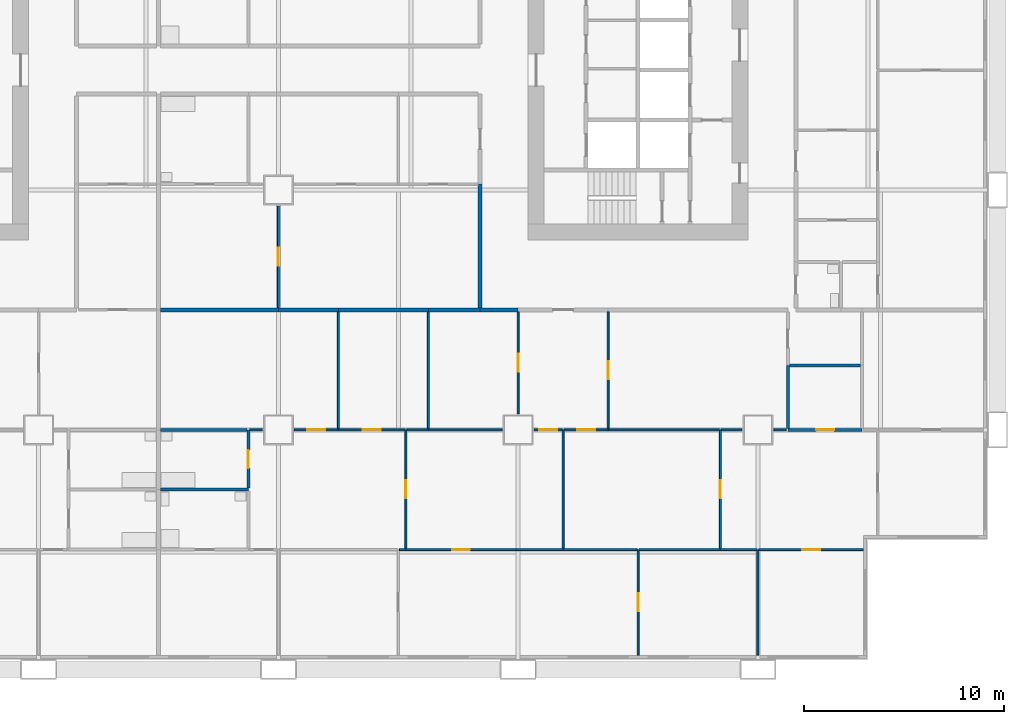
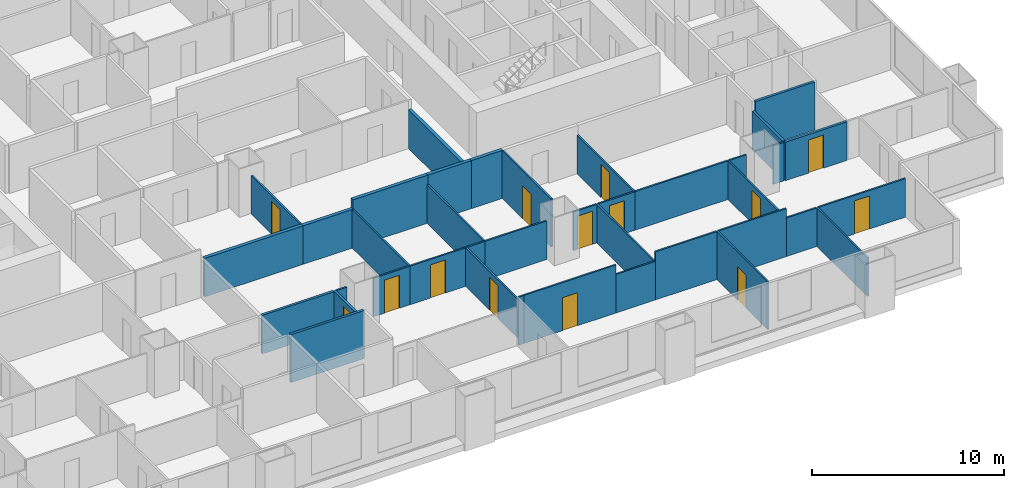
# One storey, part 5 of 13: 39 walls, 14 doors, 14 openings.
"""IFC4 building model written with IfcOpenShell, lengths in metres."""

from ifc_helpers import new_model, si_unit, direction, frame, frame_2d, origin, place, context, subcontext, project, spatial, rectangle, extrude, material, layer, layer_set, type_object, element, fill, save


model = new_model("IFC4")

# Units and contexts
model_context = context("Model", 3, precision=1e-05, world=origin(), true_north=direction((0.0, 1.0)))
body_context = subcontext(model_context, "Body", "Model", "MODEL_VIEW")
ifc_project = project(units=[si_unit("LENGTHUNIT", "METRE"), si_unit("AREAUNIT", "SQUARE_METRE"), si_unit("VOLUMEUNIT", "CUBIC_METRE"), si_unit("PLANEANGLEUNIT", "RADIAN"), si_unit("MASSUNIT", "GRAM", prefix="KILO")], contexts=[model_context])

# Site, building, storey
site_placement = place(None, origin())
site = spatial("IfcSite", under=ifc_project, at=site_placement, CompositionType="ELEMENT")
building_placement = place(site_placement, origin())
building = spatial("IfcBuilding", under=site, at=building_placement, Name="Kitamizu Gate Tower and Museum", CompositionType="ELEMENT")
storey_placement = place(building_placement, frame((0.0, 0.0, 47.25)))
storey = spatial("IfcBuildingStorey", under=building, at=storey_placement, Name="L10", CompositionType="ELEMENT", Elevation=47.25)

# Wall, opening, door
ifc_material_1 = material(Name="Gypsum board on galvanised stud")
ifc_layer_1 = layer(ifc_material_1, 0.10009765625)
ifc_layer_set_1 = layer_set([ifc_layer_1], Name="Gypsum board on galvanised stud")
wall_type_1 = type_object("IfcWallType", Name="Partition 100 NOT RATED", PredefinedType="PARTITIONING", material=ifc_layer_set_1)
wall_1_placement = place(storey_placement, frame((54.0, 0.719970703125, 0.0), z_axis=(0.0, 0.0, 1.0), x_axis=(0.0, 1.0, 0.0)))
wall_1 = element("IfcWall", 1, at=wall_1_placement, inside=storey, type_object=wall_type_1, Name="Partition L10-051", PredefinedType="PARTITIONING", context=body_context, shape_type="SweptSolid", body=[
    extrude(rectangle(XDim=5.280029296875, YDim=0.10009765625, at=frame_2d((2.64013671875, 0.0))), origin(), (0.0, 0.0, 1.0), 3.050048828125),
])
opening_1_placement = place(wall_1_placement, frame((2.18994140625, 0.0, 0.0)))
opening_1 = element("IfcOpeningElement", 2, at=opening_1_placement, cuts=wall_1, Name="Opening L10-027", PredefinedType="OPENING", context=body_context, shape_type="SweptSolid", body=[
    extrude(rectangle(XDim=0.89990234375, YDim=2.10009765625, at=frame_2d((0.449951171875, 1.050048828125))), frame((0.0, 0.06005859375, 0.0), z_axis=(0.0, -1.0, 0.0), x_axis=(1.0, 0.0, 0.0)), (0.0, 0.0, 1.0), 0.1201171875),
])
ifc_material_2 = material(Name="Timber door set", Category="wood")
door_type_1 = type_object("IfcDoorType", Name="Room door 900", OperationType="NOTDEFINED", PredefinedType="DOOR", material=ifc_material_2)
door_1_placement = place(opening_1_placement, frame((0.89990234375, 0.0, 0.0), x_axis=(-1.0, 0.0, 0.0)))
door_1 = element("IfcDoor", 3, at=door_1_placement, inside=storey, type_object=door_type_1, Name="Door L10-027", OperationType="SINGLE_SWING_LEFT", OverallHeight=2.10009765625, OverallWidth=0.89990234375, PredefinedType="DOOR", context=body_context, shape_type="SweptSolid", body=[
    extrude(rectangle(XDim=0.89990234375, YDim=2.10009765625, at=frame_2d((0.449951171875, 1.050048828125))), frame((0.0, 0.02490234375, 0.0), z_axis=(0.0, -1.0, 0.0), x_axis=(1.0, 0.0, 0.0)), (0.0, 0.0, 1.0), 0.050048828125),
])
fill(opening_1, door_1)

# Walls
wall_2_placement = place(storey_placement, frame((42.375, 6.0, 0.0), z_axis=(0.0, 0.0, 1.0), x_axis=(-1.0, 0.0, 0.0)))
element("IfcWall", 4, at=wall_2_placement, inside=storey, type_object=wall_type_1, Name="Partition L10-052", PredefinedType="PARTITIONING", context=body_context, shape_type="SweptSolid", body=[
    extrude(rectangle(XDim=0.324951171875, YDim=0.10009765625, at=frame_2d((0.16259765625, 0.0))), origin(), (0.0, 0.0, 1.0), 3.050048828125),
])
wall_3_placement = place(storey_placement, frame((50.25, 6.0, 0.0), z_axis=(0.0, 0.0, 1.0), x_axis=(-1.0, 0.0, 0.0)))
element("IfcWall", 5, at=wall_3_placement, inside=storey, type_object=wall_type_1, Name="Partition L10-053", PredefinedType="PARTITIONING", context=body_context, shape_type="SweptSolid", body=[
    extrude(rectangle(XDim=2.35009765625, YDim=0.10009765625, at=frame_2d((1.175048828125, 0.0))), origin(), (0.0, 0.0, 1.0), 2.449951171875),
])

# Wall, opening, door
wall_4_placement = place(storey_placement, frame((47.89990234375, 6.0, 0.0), z_axis=(0.0, 0.0, 1.0), x_axis=(-1.0, 0.0, 0.0)))
wall_4 = element("IfcWall", 6, at=wall_4_placement, inside=storey, type_object=wall_type_1, Name="Partition L10-054", PredefinedType="PARTITIONING", context=body_context, shape_type="SweptSolid", body=[
    extrude(rectangle(XDim=5.52490234375, YDim=0.10009765625, at=frame_2d((2.762451171875, 0.0))), origin(), (0.0, 0.0, 1.0), 3.050048828125),
])
opening_2_placement = place(wall_4_placement, frame((2.3125, 0.0, 0.0)))
opening_2 = element("IfcOpeningElement", 7, at=opening_2_placement, cuts=wall_4, Name="Opening L10-020", PredefinedType="OPENING", context=body_context, shape_type="SweptSolid", body=[
    extrude(rectangle(XDim=0.89990234375, YDim=2.10009765625, at=frame_2d((0.449951171875, 1.050048828125))), frame((0.0, 0.06005859375, 0.0), z_axis=(0.0, -1.0, 0.0), x_axis=(1.0, 0.0, 0.0)), (0.0, 0.0, 1.0), 0.1201171875),
])
door_2_placement = place(opening_2_placement, frame((0.89990234375, 0.0, 0.0), x_axis=(-1.0, 0.0, 0.0)))
door_2 = element("IfcDoor", 8, at=door_2_placement, inside=storey, type_object=door_type_1, Name="Door L10-020", OperationType="SINGLE_SWING_LEFT", OverallHeight=2.10009765625, OverallWidth=0.89990234375, PredefinedType="DOOR", context=body_context, shape_type="SweptSolid", body=[
    extrude(rectangle(XDim=0.89990234375, YDim=2.10009765625, at=frame_2d((0.449951171875, 1.050048828125))), frame((0.0, 0.02490234375, 0.0), z_axis=(0.0, -1.0, 0.0), x_axis=(1.0, 0.0, 0.0)), (0.0, 0.0, 1.0), 0.050048828125),
])
fill(opening_2, door_2)

# Walls
wall_5_placement = place(storey_placement, frame((53.949951171875, 6.0, 0.0), z_axis=(0.0, 0.0, 1.0), x_axis=(-1.0, 0.0, 0.0)))
element("IfcWall", 9, at=wall_5_placement, inside=storey, type_object=wall_type_1, Name="Partition L10-055", PredefinedType="PARTITIONING", context=body_context, shape_type="SweptSolid", body=[
    extrude(rectangle(XDim=3.699951171875, YDim=0.10009765625, at=frame_2d((1.85009765625, 0.0))), origin(), (0.0, 0.0, 1.0), 3.050048828125),
])
wall_6_placement = place(storey_placement, frame((60.0, 0.719970703125, 0.0), z_axis=(0.0, 0.0, 1.0), x_axis=(0.0, 1.0, 0.0)))
element("IfcWall", 10, at=wall_6_placement, inside=storey, type_object=wall_type_1, Name="Partition L10-056", PredefinedType="PARTITIONING", context=body_context, shape_type="SweptSolid", body=[
    extrude(rectangle(XDim=5.280029296875, YDim=0.10009765625, at=frame_2d((2.64013671875, 0.0))), origin(), (0.0, 0.0, 1.0), 2.449951171875),
])
wall_7_placement = place(storey_placement, frame((58.125, 6.0, 0.0), z_axis=(0.0, 0.0, 1.0), x_axis=(-1.0, 0.0, 0.0)))
element("IfcWall", 11, at=wall_7_placement, inside=storey, type_object=wall_type_1, Name="Partition L10-057", PredefinedType="PARTITIONING", context=body_context, shape_type="SweptSolid", body=[
    extrude(rectangle(XDim=4.074951171875, YDim=0.10009765625, at=frame_2d((2.03759765625, 0.0))), origin(), (0.0, 0.0, 1.0), 3.050048828125),
])
wall_8_placement = place(storey_placement, frame((59.949951171875, 6.0, 0.0), z_axis=(0.0, 0.0, 1.0), x_axis=(-1.0, 0.0, 0.0)))
element("IfcWall", 12, at=wall_8_placement, inside=storey, type_object=wall_type_1, Name="Partition L10-058", PredefinedType="PARTITIONING", context=body_context, shape_type="SweptSolid", body=[
    extrude(rectangle(XDim=1.824951171875, YDim=0.10009765625, at=frame_2d((0.91259765625, 0.0))), origin(), (0.0, 0.0, 1.0), 2.449951171875),
])

# Wall, opening, door
wall_9_placement = place(storey_placement, frame((65.280029296875, 6.0, 0.0), z_axis=(0.0, 0.0, 1.0), x_axis=(-1.0, 0.0, 0.0)))
wall_9 = element("IfcWall", 13, at=wall_9_placement, inside=storey, type_object=wall_type_1, Name="Partition L10-059", PredefinedType="PARTITIONING", context=body_context, shape_type="SweptSolid", body=[
    extrude(rectangle(XDim=5.22998046875, YDim=0.10009765625, at=frame_2d((2.614990234375, 0.0))), origin(), (0.0, 0.0, 1.0), 2.449951171875),
])
opening_3_placement = place(wall_9_placement, frame((2.1650390625, 0.0, 0.0)))
opening_3 = element("IfcOpeningElement", 14, at=opening_3_placement, cuts=wall_9, Name="Opening L10-028", PredefinedType="OPENING", context=body_context, shape_type="SweptSolid", body=[
    extrude(rectangle(XDim=0.89990234375, YDim=2.10009765625, at=frame_2d((0.449951171875, 1.050048828125))), frame((0.0, 0.06005859375, 0.0), z_axis=(0.0, -1.0, 0.0), x_axis=(1.0, 0.0, 0.0)), (0.0, 0.0, 1.0), 0.1201171875),
])
door_3_placement = place(opening_3_placement, origin())
door_3 = element("IfcDoor", 15, at=door_3_placement, inside=storey, type_object=door_type_1, Name="Door L10-028", OperationType="SINGLE_SWING_LEFT", OverallHeight=2.10009765625, OverallWidth=0.89990234375, PredefinedType="DOOR", context=body_context, shape_type="SweptSolid", body=[
    extrude(rectangle(XDim=0.89990234375, YDim=2.10009765625, at=frame_2d((0.449951171875, 1.050048828125))), frame((0.0, 0.02490234375, 0.0), z_axis=(0.0, -1.0, 0.0), x_axis=(1.0, 0.0, 0.0)), (0.0, 0.0, 1.0), 0.050048828125),
])
fill(opening_3, door_3)

wall_10_placement = place(storey_placement, frame((42.375, 6.050048828125, 0.0), z_axis=(0.0, 0.0, 1.0), x_axis=(0.0, 1.0, 0.0)))
wall_10 = element("IfcWall", 16, at=wall_10_placement, inside=storey, type_object=wall_type_1, Name="Partition L10-064", PredefinedType="PARTITIONING", context=body_context, shape_type="SweptSolid", body=[
    extrude(rectangle(XDim=5.949951171875, YDim=0.10009765625, at=frame_2d((2.97509765625, 0.0))), origin(), (0.0, 0.0, 1.0), 2.449951171875),
])
opening_4_placement = place(wall_10_placement, frame((2.52490234375, 0.0, 0.0)))
opening_4 = element("IfcOpeningElement", 17, at=opening_4_placement, cuts=wall_10, Name="Opening L10-021", PredefinedType="OPENING", context=body_context, shape_type="SweptSolid", body=[
    extrude(rectangle(XDim=0.89990234375, YDim=2.10009765625, at=frame_2d((0.449951171875, 1.050048828125))), frame((0.0, 0.06005859375, 0.0), z_axis=(0.0, -1.0, 0.0), x_axis=(1.0, 0.0, 0.0)), (0.0, 0.0, 1.0), 0.1201171875),
])
door_4_placement = place(opening_4_placement, frame((0.89990234375, 0.0, 0.0), x_axis=(-1.0, 0.0, 0.0)))
door_4 = element("IfcDoor", 18, at=door_4_placement, inside=storey, type_object=door_type_1, Name="Door L10-021", OperationType="SINGLE_SWING_RIGHT", OverallHeight=2.10009765625, OverallWidth=0.89990234375, PredefinedType="DOOR", context=body_context, shape_type="SweptSolid", body=[
    extrude(rectangle(XDim=0.89990234375, YDim=2.10009765625, at=frame_2d((0.449951171875, 1.050048828125))), frame((0.0, 0.02490234375, 0.0), z_axis=(0.0, -1.0, 0.0), x_axis=(1.0, 0.0, 0.0)), (0.0, 0.0, 1.0), 0.050048828125),
])
fill(opening_4, door_4)

# Wall
wall_11_placement = place(storey_placement, frame((35.199951171875, 12.0, 0.0), z_axis=(0.0, 0.0, 1.0), x_axis=(-1.0, 0.0, 0.0)))
element("IfcWall", 19, at=wall_11_placement, inside=storey, type_object=wall_type_1, Name="Partition L10-065", PredefinedType="PARTITIONING", context=body_context, shape_type="SweptSolid", body=[
    extrude(rectangle(XDim=0.625, YDim=0.10009765625, at=frame_2d((0.3125, 0.0))), origin(), (0.0, 0.0, 1.0), 2.449951171875),
])

# Wall, opening, door
wall_12_placement = place(storey_placement, frame((39.0, 12.0, 0.0), z_axis=(0.0, 0.0, 1.0), x_axis=(-1.0, 0.0, 0.0)))
wall_12 = element("IfcWall", 20, at=wall_12_placement, inside=storey, type_object=wall_type_1, Name="Partition L10-066", PredefinedType="PARTITIONING", context=body_context, shape_type="SweptSolid", body=[
    extrude(rectangle(XDim=2.199951171875, YDim=0.10009765625, at=frame_2d((1.10009765625, 0.0))), origin(), (0.0, 0.0, 1.0), 2.449951171875),
])
opening_5_placement = place(wall_12_placement, frame((0.64990234375, 0.0, 0.0)))
opening_5 = element("IfcOpeningElement", 21, at=opening_5_placement, cuts=wall_12, Name="Opening L10-030", PredefinedType="OPENING", context=body_context, shape_type="SweptSolid", body=[
    extrude(rectangle(XDim=0.89990234375, YDim=2.10009765625, at=frame_2d((0.449951171875, 1.050048828125))), frame((0.0, 0.06005859375, 0.0), z_axis=(0.0, -1.0, 0.0), x_axis=(1.0, 0.0, 0.0)), (0.0, 0.0, 1.0), 0.1201171875),
])
door_5_placement = place(opening_5_placement, frame((0.89990234375, 0.0, 0.0), x_axis=(-1.0, 0.0, 0.0)))
door_5 = element("IfcDoor", 22, at=door_5_placement, inside=storey, type_object=door_type_1, Name="Door L10-030", OperationType="SINGLE_SWING_RIGHT", OverallHeight=2.10009765625, OverallWidth=0.89990234375, PredefinedType="DOOR", context=body_context, shape_type="SweptSolid", body=[
    extrude(rectangle(XDim=0.89990234375, YDim=2.10009765625, at=frame_2d((0.449951171875, 1.050048828125))), frame((0.0, 0.02490234375, 0.0), z_axis=(0.0, -1.0, 0.0), x_axis=(1.0, 0.0, 0.0)), (0.0, 0.0, 1.0), 0.050048828125),
])
fill(opening_5, door_5)

wall_13_placement = place(storey_placement, frame((42.324951171875, 12.0, 0.0), z_axis=(0.0, 0.0, 1.0), x_axis=(-1.0, 0.0, 0.0)))
wall_13 = element("IfcWall", 23, at=wall_13_placement, inside=storey, type_object=wall_type_1, Name="Partition L10-067", PredefinedType="PARTITIONING", context=body_context, shape_type="SweptSolid", body=[
    extrude(rectangle(XDim=3.324951171875, YDim=0.10009765625, at=frame_2d((1.66259765625, 0.0))), origin(), (0.0, 0.0, 1.0), 2.449951171875),
])
opening_6_placement = place(wall_13_placement, frame((1.21240234375, 0.0, 0.0)))
opening_6 = element("IfcOpeningElement", 24, at=opening_6_placement, cuts=wall_13, Name="Opening L10-031", PredefinedType="OPENING", context=body_context, shape_type="SweptSolid", body=[
    extrude(rectangle(XDim=0.89990234375, YDim=2.10009765625, at=frame_2d((0.449951171875, 1.050048828125))), frame((0.0, 0.06005859375, 0.0), z_axis=(0.0, -1.0, 0.0), x_axis=(1.0, 0.0, 0.0)), (0.0, 0.0, 1.0), 0.1201171875),
])
door_6_placement = place(opening_6_placement, frame((0.89990234375, 0.0, 0.0), x_axis=(-1.0, 0.0, 0.0)))
door_6 = element("IfcDoor", 25, at=door_6_placement, inside=storey, type_object=door_type_1, Name="Door L10-031", OperationType="SINGLE_SWING_RIGHT", OverallHeight=2.10009765625, OverallWidth=0.89990234375, PredefinedType="DOOR", context=body_context, shape_type="SweptSolid", body=[
    extrude(rectangle(XDim=0.89990234375, YDim=2.10009765625, at=frame_2d((0.449951171875, 1.050048828125))), frame((0.0, 0.02490234375, 0.0), z_axis=(0.0, -1.0, 0.0), x_axis=(1.0, 0.0, 0.0)), (0.0, 0.0, 1.0), 0.050048828125),
])
fill(opening_6, door_6)

# Walls
wall_14_placement = place(storey_placement, frame((50.25, 6.050048828125, 0.0), z_axis=(0.0, 0.0, 1.0), x_axis=(0.0, 1.0, 0.0)))
element("IfcWall", 26, at=wall_14_placement, inside=storey, type_object=wall_type_1, Name="Partition L10-068", PredefinedType="PARTITIONING", context=body_context, shape_type="SweptSolid", body=[
    extrude(rectangle(XDim=5.949951171875, YDim=0.10009765625, at=frame_2d((2.97509765625, 0.0))), origin(), (0.0, 0.0, 1.0), 2.449951171875),
])
wall_15_placement = place(storey_placement, frame((43.5, 12.0, 0.0), z_axis=(0.0, 0.0, 1.0), x_axis=(-1.0, 0.0, 0.0)))
element("IfcWall", 27, at=wall_15_placement, inside=storey, type_object=wall_type_1, Name="Partition L10-069", PredefinedType="PARTITIONING", context=body_context, shape_type="SweptSolid", body=[
    extrude(rectangle(XDim=1.074951171875, YDim=0.10009765625, at=frame_2d((0.53759765625, 0.0))), origin(), (0.0, 0.0, 1.0), 2.449951171875),
])
wall_16_placement = place(storey_placement, frame((47.199951171875, 12.0, 0.0), z_axis=(0.0, 0.0, 1.0), x_axis=(-1.0, 0.0, 0.0)))
element("IfcWall", 28, at=wall_16_placement, inside=storey, type_object=wall_type_1, Name="Partition L10-070", PredefinedType="PARTITIONING", context=body_context, shape_type="SweptSolid", body=[
    extrude(rectangle(XDim=3.699951171875, YDim=0.10009765625, at=frame_2d((1.85009765625, 0.0))), origin(), (0.0, 0.0, 1.0), 2.449951171875),
])

# Wall, opening, door
wall_17_placement = place(storey_placement, frame((50.199951171875, 12.0, 0.0), z_axis=(0.0, 0.0, 1.0), x_axis=(-1.0, 0.0, 0.0)))
wall_17 = element("IfcWall", 29, at=wall_17_placement, inside=storey, type_object=wall_type_1, Name="Partition L10-071", PredefinedType="PARTITIONING", context=body_context, shape_type="SweptSolid", body=[
    extrude(rectangle(XDim=1.39990234375, YDim=0.10009765625, at=frame_2d((0.699951171875, 0.0))), origin(), (0.0, 0.0, 1.0), 2.449951171875),
])
opening_7_placement = place(wall_17_placement, frame((0.25, 0.0, 0.0)))
opening_7 = element("IfcOpeningElement", 30, at=opening_7_placement, cuts=wall_17, Name="Opening L10-018", PredefinedType="OPENING", context=body_context, shape_type="SweptSolid", body=[
    extrude(rectangle(XDim=0.89990234375, YDim=2.10009765625, at=frame_2d((0.449951171875, 1.050048828125))), frame((0.0, 0.06005859375, 0.0), z_axis=(0.0, -1.0, 0.0), x_axis=(1.0, 0.0, 0.0)), (0.0, 0.0, 1.0), 0.1201171875),
])
door_7_placement = place(opening_7_placement, origin())
door_7 = element("IfcDoor", 31, at=door_7_placement, inside=storey, type_object=door_type_1, Name="Door L10-018", OperationType="SINGLE_SWING_LEFT", OverallHeight=2.10009765625, OverallWidth=0.89990234375, PredefinedType="DOOR", context=body_context, shape_type="SweptSolid", body=[
    extrude(rectangle(XDim=0.89990234375, YDim=2.10009765625, at=frame_2d((0.449951171875, 1.050048828125))), frame((0.0, 0.02490234375, 0.0), z_axis=(0.0, -1.0, 0.0), x_axis=(1.0, 0.0, 0.0)), (0.0, 0.0, 1.0), 0.050048828125),
])
fill(opening_7, door_7)

wall_18_placement = place(storey_placement, frame((58.125, 6.050048828125, 0.0), z_axis=(0.0, 0.0, 1.0), x_axis=(0.0, 1.0, 0.0)))
wall_18 = element("IfcWall", 32, at=wall_18_placement, inside=storey, type_object=wall_type_1, Name="Partition L10-072", PredefinedType="PARTITIONING", context=body_context, shape_type="SweptSolid", body=[
    extrude(rectangle(XDim=5.949951171875, YDim=0.10009765625, at=frame_2d((2.97509765625, 0.0))), origin(), (0.0, 0.0, 1.0), 2.449951171875),
])
opening_8_placement = place(wall_18_placement, frame((2.52490234375, 0.0, 0.0)))
opening_8 = element("IfcOpeningElement", 33, at=opening_8_placement, cuts=wall_18, Name="Opening L10-022", PredefinedType="OPENING", context=body_context, shape_type="SweptSolid", body=[
    extrude(rectangle(XDim=0.89990234375, YDim=2.10009765625, at=frame_2d((0.449951171875, 1.050048828125))), frame((0.0, 0.06005859375, 0.0), z_axis=(0.0, -1.0, 0.0), x_axis=(1.0, 0.0, 0.0)), (0.0, 0.0, 1.0), 0.1201171875),
])
door_8_placement = place(opening_8_placement, frame((0.89990234375, 0.0, 0.0), x_axis=(-1.0, 0.0, 0.0)))
door_8 = element("IfcDoor", 34, at=door_8_placement, inside=storey, type_object=door_type_1, Name="Door L10-022", OperationType="SINGLE_SWING_LEFT", OverallHeight=2.10009765625, OverallWidth=0.89990234375, PredefinedType="DOOR", context=body_context, shape_type="SweptSolid", body=[
    extrude(rectangle(XDim=0.89990234375, YDim=2.10009765625, at=frame_2d((0.449951171875, 1.050048828125))), frame((0.0, 0.02490234375, 0.0), z_axis=(0.0, -1.0, 0.0), x_axis=(1.0, 0.0, 0.0)), (0.0, 0.0, 1.0), 0.050048828125),
])
fill(opening_8, door_8)

wall_19_placement = place(storey_placement, frame((52.5, 12.0, 0.0), z_axis=(0.0, 0.0, 1.0), x_axis=(-1.0, 0.0, 0.0)))
wall_19 = element("IfcWall", 35, at=wall_19_placement, inside=storey, type_object=wall_type_1, Name="Partition L10-073", PredefinedType="PARTITIONING", context=body_context, shape_type="SweptSolid", body=[
    extrude(rectangle(XDim=2.199951171875, YDim=0.10009765625, at=frame_2d((1.10009765625, 0.0))), origin(), (0.0, 0.0, 1.0), 2.449951171875),
])
opening_9_placement = place(wall_19_placement, frame((0.64990234375, 0.0, 0.0)))
opening_9 = element("IfcOpeningElement", 36, at=opening_9_placement, cuts=wall_19, Name="Opening L10-019", PredefinedType="OPENING", context=body_context, shape_type="SweptSolid", body=[
    extrude(rectangle(XDim=0.89990234375, YDim=2.10009765625, at=frame_2d((0.449951171875, 1.050048828125))), frame((0.0, 0.06005859375, 0.0), z_axis=(0.0, -1.0, 0.0), x_axis=(1.0, 0.0, 0.0)), (0.0, 0.0, 1.0), 0.1201171875),
])
door_9_placement = place(opening_9_placement, origin())
door_9 = element("IfcDoor", 37, at=door_9_placement, inside=storey, type_object=door_type_1, Name="Door L10-019", OperationType="SINGLE_SWING_LEFT", OverallHeight=2.10009765625, OverallWidth=0.89990234375, PredefinedType="DOOR", context=body_context, shape_type="SweptSolid", body=[
    extrude(rectangle(XDim=0.89990234375, YDim=2.10009765625, at=frame_2d((0.449951171875, 1.050048828125))), frame((0.0, 0.02490234375, 0.0), z_axis=(0.0, -1.0, 0.0), x_axis=(1.0, 0.0, 0.0)), (0.0, 0.0, 1.0), 0.050048828125),
])
fill(opening_9, door_9)

# Walls
wall_20_placement = place(storey_placement, frame((58.074951171875, 12.0, 0.0), z_axis=(0.0, 0.0, 1.0), x_axis=(-1.0, 0.0, 0.0)))
element("IfcWall", 38, at=wall_20_placement, inside=storey, type_object=wall_type_1, Name="Partition L10-074", PredefinedType="PARTITIONING", context=body_context, shape_type="SweptSolid", body=[
    extrude(rectangle(XDim=5.574951171875, YDim=0.10009765625, at=frame_2d((2.78759765625, 0.0))), origin(), (0.0, 0.0, 1.0), 2.449951171875),
])
wall_21_placement = place(storey_placement, frame((59.199951171875, 12.0, 0.0), z_axis=(0.0, 0.0, 1.0), x_axis=(-1.0, 0.0, 0.0)))
element("IfcWall", 39, at=wall_21_placement, inside=storey, type_object=wall_type_1, Name="Partition L10-076", PredefinedType="PARTITIONING", context=body_context, shape_type="SweptSolid", body=[
    extrude(rectangle(XDim=1.02490234375, YDim=0.10009765625, at=frame_2d((0.512451171875, 0.0))), origin(), (0.0, 0.0, 1.0), 2.449951171875),
])
wall_22_placement = place(storey_placement, frame((61.425048828125, 12.0, 0.0), z_axis=(0.0, 0.0, 1.0), x_axis=(-1.0, 0.0, 0.0)))
element("IfcWall", 40, at=wall_22_placement, inside=storey, type_object=wall_type_1, Name="Partition L10-077", PredefinedType="PARTITIONING", context=body_context, shape_type="SweptSolid", body=[
    extrude(rectangle(XDim=0.625, YDim=0.10009765625, at=frame_2d((0.3125, 0.0))), origin(), (0.0, 0.0, 1.0), 2.449951171875),
])
for number, where, z_axis, x_axis, name in (
    (41, (39.0, 12.050048828125, 0.0), (0.0, 0.0, 1.0), (0.0, 1.0, 0.0), "Partition L10-081"),
    (42, (43.5, 12.050048828125, 0.0), (0.0, 0.0, 1.0), (0.0, 1.0, 0.0), "Partition L10-084"),
):
    element("IfcWall", number, at=place(storey_placement, frame(where, z_axis=z_axis, x_axis=x_axis)), inside=storey, type_object=wall_type_1, Name=name, PredefinedType="PARTITIONING", context=body_context, shape_type="SweptSolid", body=[
        extrude(rectangle(XDim=5.849853515625, YDim=0.10009765625, at=frame_2d((2.9248046875, 0.0))), origin(), (0.0, 0.0, 1.0), 2.449951171875),
    ])

# Wall, opening, door
wall_23_placement = place(storey_placement, frame((48.0, 12.800048828125, 0.0), z_axis=(0.0, 0.0, 1.0), x_axis=(0.0, 1.0, 0.0)))
wall_23 = element("IfcWall", 43, at=wall_23_placement, inside=storey, type_object=wall_type_1, Name="Partition L10-086", PredefinedType="PARTITIONING", context=body_context, shape_type="SweptSolid", body=[
    extrude(rectangle(XDim=5.099853515625, YDim=0.10009765625, at=frame_2d((2.5498046875, 0.0))), origin(), (0.0, 0.0, 1.0), 3.050048828125),
])
opening_10_placement = place(wall_23_placement, frame((2.10009765625, 0.0, 0.0)))
opening_10 = element("IfcOpeningElement", 44, at=opening_10_placement, cuts=wall_23, Name="Opening L10-032", PredefinedType="OPENING", context=body_context, shape_type="SweptSolid", body=[
    extrude(rectangle(XDim=0.89990234375, YDim=2.10009765625, at=frame_2d((0.449951171875, 1.050048828125))), frame((0.0, 0.06005859375, 0.0), z_axis=(0.0, -1.0, 0.0), x_axis=(1.0, 0.0, 0.0)), (0.0, 0.0, 1.0), 0.1201171875),
])
door_10_placement = place(opening_10_placement, origin())
door_10 = element("IfcDoor", 45, at=door_10_placement, inside=storey, type_object=door_type_1, Name="Door L10-032", OperationType="SINGLE_SWING_RIGHT", OverallHeight=2.10009765625, OverallWidth=0.89990234375, PredefinedType="DOOR", context=body_context, shape_type="SweptSolid", body=[
    extrude(rectangle(XDim=0.89990234375, YDim=2.10009765625, at=frame_2d((0.449951171875, 1.050048828125))), frame((0.0, 0.02490234375, 0.0), z_axis=(0.0, -1.0, 0.0), x_axis=(1.0, 0.0, 0.0)), (0.0, 0.0, 1.0), 0.050048828125),
])
fill(opening_10, door_10)

wall_24_placement = place(storey_placement, frame((52.5, 12.050048828125, 0.0), z_axis=(0.0, 0.0, 1.0), x_axis=(0.0, 1.0, 0.0)))
wall_24 = element("IfcWall", 46, at=wall_24_placement, inside=storey, type_object=wall_type_1, Name="Partition L10-089", PredefinedType="PARTITIONING", context=body_context, shape_type="SweptSolid", body=[
    extrude(rectangle(XDim=5.849853515625, YDim=0.10009765625, at=frame_2d((2.9248046875, 0.0))), origin(), (0.0, 0.0, 1.0), 2.449951171875),
])
opening_11_placement = place(wall_24_placement, frame((2.47509765625, 0.0, 0.0)))
opening_11 = element("IfcOpeningElement", 47, at=opening_11_placement, cuts=wall_24, Name="Opening L10-033", PredefinedType="OPENING", context=body_context, shape_type="SweptSolid", body=[
    extrude(rectangle(XDim=0.89990234375, YDim=2.10009765625, at=frame_2d((0.449951171875, 1.050048828125))), frame((0.0, 0.06005859375, 0.0), z_axis=(0.0, -1.0, 0.0), x_axis=(1.0, 0.0, 0.0)), (0.0, 0.0, 1.0), 0.1201171875),
])
door_11_placement = place(opening_11_placement, frame((0.89990234375, 0.0, 0.0), x_axis=(-1.0, 0.0, 0.0)))
door_11 = element("IfcDoor", 48, at=door_11_placement, inside=storey, type_object=door_type_1, Name="Door L10-033", OperationType="SINGLE_SWING_RIGHT", OverallHeight=2.10009765625, OverallWidth=0.89990234375, PredefinedType="DOOR", context=body_context, shape_type="SweptSolid", body=[
    extrude(rectangle(XDim=0.89990234375, YDim=2.10009765625, at=frame_2d((0.449951171875, 1.050048828125))), frame((0.0, 0.02490234375, 0.0), z_axis=(0.0, -1.0, 0.0), x_axis=(1.0, 0.0, 0.0)), (0.0, 0.0, 1.0), 0.050048828125),
])
fill(opening_11, door_11)

wall_25_placement = place(storey_placement, frame((36.0, 18.10009765625, 0.0), z_axis=(0.0, 0.0, 1.0), x_axis=(0.0, 1.0, 0.0)))
wall_25 = element("IfcWall", 49, at=wall_25_placement, inside=storey, type_object=wall_type_1, Name="Partition L10-101", PredefinedType="PARTITIONING", context=body_context, shape_type="SweptSolid", body=[
    extrude(rectangle(XDim=5.099853515625, YDim=0.10009765625, at=frame_2d((2.5498046875, 0.0))), origin(), (0.0, 0.0, 1.0), 2.449951171875),
])
opening_12_placement = place(wall_25_placement, frame((2.10009765625, 0.0, 0.0)))
opening_12 = element("IfcOpeningElement", 50, at=opening_12_placement, cuts=wall_25, Name="Opening L10-039", PredefinedType="OPENING", context=body_context, shape_type="SweptSolid", body=[
    extrude(rectangle(XDim=0.89990234375, YDim=2.10009765625, at=frame_2d((0.449951171875, 1.050048828125))), frame((0.0, 0.06005859375, 0.0), z_axis=(0.0, -1.0, 0.0), x_axis=(1.0, 0.0, 0.0)), (0.0, 0.0, 1.0), 0.1201171875),
])
door_12_placement = place(opening_12_placement, origin())
door_12 = element("IfcDoor", 51, at=door_12_placement, inside=storey, type_object=door_type_1, Name="Door L10-039", OperationType="SINGLE_SWING_LEFT", OverallHeight=2.10009765625, OverallWidth=0.89990234375, PredefinedType="DOOR", context=body_context, shape_type="SweptSolid", body=[
    extrude(rectangle(XDim=0.89990234375, YDim=2.10009765625, at=frame_2d((0.449951171875, 1.050048828125))), frame((0.0, 0.02490234375, 0.0), z_axis=(0.0, -1.0, 0.0), x_axis=(1.0, 0.0, 0.0)), (0.0, 0.0, 1.0), 0.050048828125),
])
fill(opening_12, door_12)

# Wall
ifc_material_3 = material(Name="Gypsum board on galvanised stud")
ifc_layer_2 = layer(ifc_material_3, 0.14990234375)
ifc_layer_set_2 = layer_set([ifc_layer_2], Name="Gypsum board on galvanised stud")
wall_type_2 = type_object("IfcWallType", Name="Partition 150", PredefinedType="PARTITIONING", material=ifc_layer_set_2)
wall_26_placement = place(storey_placement, frame((34.5, 9.0, 0.0), z_axis=(0.0, 0.0, 1.0), x_axis=(-1.0, 0.0, 0.0)))
element("IfcWall", 52, at=wall_26_placement, inside=storey, type_object=wall_type_2, Name="Partition L10-060", PredefinedType="PARTITIONING", context=body_context, shape_type="SweptSolid", body=[
    extrude(rectangle(XDim=4.39990234375, YDim=0.14990234375, at=frame_2d((2.199951171875, 0.0))), origin(), (0.0, 0.0, 1.0), 3.050048828125),
])

# Wall, opening, door
wall_27_placement = place(storey_placement, frame((34.5, 9.074951171875, 0.0), z_axis=(0.0, 0.0, 1.0), x_axis=(0.0, 1.0, 0.0)))
wall_27 = element("IfcWall", 53, at=wall_27_placement, inside=storey, type_object=wall_type_2, Name="Partition L10-062", PredefinedType="PARTITIONING", context=body_context, shape_type="SweptSolid", body=[
    extrude(rectangle(XDim=2.925048828125, YDim=0.14990234375, at=frame_2d((1.46240234375, 0.0))), origin(), (0.0, 0.0, 1.0), 2.449951171875),
])
opening_13_placement = place(wall_27_placement, frame((1.012451171875, 0.0, 0.0)))
opening_13 = element("IfcOpeningElement", 54, at=opening_13_placement, cuts=wall_27, Name="Opening L10-029", PredefinedType="OPENING", context=body_context, shape_type="SweptSolid", body=[
    extrude(rectangle(XDim=0.89990234375, YDim=2.10009765625, at=frame_2d((0.449951171875, 1.050048828125))), frame((0.0, 0.0849609375, 0.0), z_axis=(0.0, -1.0, 0.0), x_axis=(1.0, 0.0, 0.0)), (0.0, 0.0, 1.0), 0.169921875),
])
ifc_material_4 = material(Name="Timber door set", Category="wood")
door_type_2 = type_object("IfcDoorType", Name="Bathroom door 900", OperationType="NOTDEFINED", PredefinedType="DOOR", material=ifc_material_4)
door_13_placement = place(opening_13_placement, origin())
door_13 = element("IfcDoor", 55, at=door_13_placement, inside=storey, type_object=door_type_2, Name="Bathroom door L10-029", OperationType="SINGLE_SWING_RIGHT", OverallHeight=2.10009765625, OverallWidth=0.89990234375, PredefinedType="DOOR", context=body_context, shape_type="SweptSolid", body=[
    extrude(rectangle(XDim=0.89990234375, YDim=2.10009765625, at=frame_2d((0.449951171875, 1.050048828125))), frame((0.0, 0.02490234375, 0.0), z_axis=(0.0, -1.0, 0.0), x_axis=(1.0, 0.0, 0.0)), (0.0, 0.0, 1.0), 0.050048828125),
])
fill(opening_13, door_13)

# Wall
wall_28_placement = place(storey_placement, frame((34.425048828125, 12.0, 0.0), z_axis=(0.0, 0.0, 1.0), x_axis=(-1.0, 0.0, 0.0)))
element("IfcWall", 56, at=wall_28_placement, inside=storey, type_object=wall_type_2, Name="Partition L10-063", PredefinedType="PARTITIONING", context=body_context, shape_type="SweptSolid", body=[
    extrude(rectangle(XDim=4.324951171875, YDim=0.14990234375, at=frame_2d((2.16259765625, 0.0))), origin(), (0.0, 0.0, 1.0), 2.449951171875),
])

# Wall, opening, door
wall_29_placement = place(storey_placement, frame((65.216064453125, 12.0, 0.0), z_axis=(0.0, 0.0, 1.0), x_axis=(-1.0, 0.0, 0.0)))
wall_29 = element("IfcWall", 57, at=wall_29_placement, inside=storey, type_object=wall_type_2, Name="Partition L10-079", PredefinedType="PARTITIONING", context=body_context, shape_type="SweptSolid", body=[
    extrude(rectangle(XDim=3.716064453125, YDim=0.14990234375, at=frame_2d((1.85791015625, 0.0))), origin(), (0.0, 0.0, 1.0), 2.449951171875),
])
opening_14_placement = place(wall_29_placement, frame((1.407958984375, 0.0, 0.0)))
opening_14 = element("IfcOpeningElement", 58, at=opening_14_placement, cuts=wall_29, Name="Opening L10-035", PredefinedType="OPENING", context=body_context, shape_type="SweptSolid", body=[
    extrude(rectangle(XDim=0.89990234375, YDim=2.10009765625, at=frame_2d((0.449951171875, 1.050048828125))), frame((0.0, 0.0849609375, 0.0), z_axis=(0.0, -1.0, 0.0), x_axis=(1.0, 0.0, 0.0)), (0.0, 0.0, 1.0), 0.169921875),
])
door_14_placement = place(opening_14_placement, frame((0.89990234375, 0.0, 0.0), x_axis=(-1.0, 0.0, 0.0)))
door_14 = element("IfcDoor", 59, at=door_14_placement, inside=storey, type_object=door_type_2, Name="Bathroom door L10-035", OperationType="SINGLE_SWING_RIGHT", OverallHeight=2.10009765625, OverallWidth=0.89990234375, PredefinedType="DOOR", context=body_context, shape_type="SweptSolid", body=[
    extrude(rectangle(XDim=0.89990234375, YDim=2.10009765625, at=frame_2d((0.449951171875, 1.050048828125))), frame((0.0, 0.02490234375, 0.0), z_axis=(0.0, -1.0, 0.0), x_axis=(1.0, 0.0, 0.0)), (0.0, 0.0, 1.0), 0.050048828125),
])
fill(opening_14, door_14)

# Walls
wall_30_placement = place(storey_placement, frame((61.5, 12.074951171875, 0.0), z_axis=(0.0, 0.0, 1.0), x_axis=(0.0, 1.0, 0.0)))
element("IfcWall", 60, at=wall_30_placement, inside=storey, type_object=wall_type_2, Name="Partition L10-091", PredefinedType="PARTITIONING", context=body_context, shape_type="SweptSolid", body=[
    extrude(rectangle(XDim=3.154052734375, YDim=0.14990234375, at=frame_2d((1.5771484375, 0.0))), origin(), (0.0, 0.0, 1.0), 2.449951171875),
])
wall_31_placement = place(storey_placement, frame((65.14111328125, 15.22900390625, 0.0), z_axis=(0.0, 0.0, 1.0), x_axis=(-1.0, 0.0, 0.0)))
element("IfcWall", 61, at=wall_31_placement, inside=storey, type_object=wall_type_2, Name="Partition L10-098", PredefinedType="PARTITIONING", context=body_context, shape_type="SweptSolid", body=[
    extrude(rectangle(XDim=3.566162109375, YDim=0.14990234375, at=frame_2d((1.783203125, 0.0))), origin(), (0.0, 0.0, 1.0), 3.050048828125),
])
ifc_material_5 = material(Name="Gypsum board on galvanised stud")
ifc_layer_3 = layer(ifc_material_5, 0.199951171875)
ifc_layer_set_3 = layer_set([ifc_layer_3], Name="Gypsum board on galvanised stud")
wall_type_3 = type_object("IfcWallType", Name="Partition 200", PredefinedType="PARTITIONING", material=ifc_layer_set_3)
wall_32_placement = place(storey_placement, frame((36.0, 18.0, 0.0), z_axis=(0.0, 0.0, 1.0), x_axis=(-1.0, 0.0, 0.0)))
element("IfcWall", 62, at=wall_32_placement, inside=storey, type_object=wall_type_3, Name="Partition L10-082", PredefinedType="PARTITIONING", context=body_context, shape_type="SweptSolid", body=[
    extrude(rectangle(XDim=5.89990234375, YDim=0.199951171875, at=frame_2d((2.949951171875, 0.0))), origin(), (0.0, 0.0, 1.0), 2.449951171875),
])
wall_33_placement = place(storey_placement, frame((39.0, 18.0, 0.0), z_axis=(0.0, 0.0, 1.0), x_axis=(-1.0, 0.0, 0.0)))
element("IfcWall", 63, at=wall_33_placement, inside=storey, type_object=wall_type_3, Name="Partition L10-083", PredefinedType="PARTITIONING", context=body_context, shape_type="SweptSolid", body=[
    extrude(rectangle(XDim=3.0, YDim=0.199951171875, at=frame_2d((1.5, 0.0))), origin(), (0.0, 0.0, 1.0), 2.449951171875),
])
wall_34_placement = place(storey_placement, frame((43.5, 18.0, 0.0), z_axis=(0.0, 0.0, 1.0), x_axis=(-1.0, 0.0, 0.0)))
element("IfcWall", 64, at=wall_34_placement, inside=storey, type_object=wall_type_3, Name="Partition L10-085", PredefinedType="PARTITIONING", context=body_context, shape_type="SweptSolid", body=[
    extrude(rectangle(XDim=4.5, YDim=0.199951171875, at=frame_2d((2.25, 0.0))), origin(), (0.0, 0.0, 1.0), 3.050048828125),
])
wall_35_placement = place(storey_placement, frame((46.10009765625, 18.0, 0.0), z_axis=(0.0, 0.0, 1.0), x_axis=(-1.0, 0.0, 0.0)))
element("IfcWall", 65, at=wall_35_placement, inside=storey, type_object=wall_type_3, Name="Partition L10-087", PredefinedType="PARTITIONING", context=body_context, shape_type="SweptSolid", body=[
    extrude(rectangle(XDim=2.60009765625, YDim=0.199951171875, at=frame_2d((1.300048828125, 0.0))), origin(), (0.0, 0.0, 1.0), 3.050048828125),
])
wall_36_placement = place(storey_placement, frame((48.0, 18.0, 0.0), z_axis=(0.0, 0.0, 1.0), x_axis=(-1.0, 0.0, 0.0)))
element("IfcWall", 66, at=wall_36_placement, inside=storey, type_object=wall_type_3, Name="Partition L10-088", PredefinedType="PARTITIONING", context=body_context, shape_type="SweptSolid", body=[
    extrude(rectangle(XDim=1.89990234375, YDim=0.199951171875, at=frame_2d((0.949951171875, 0.0))), origin(), (0.0, 0.0, 1.0), 3.050048828125),
])
wall_37_placement = place(storey_placement, frame((46.10009765625, 18.10009765625, 0.0), z_axis=(0.0, 0.0, 1.0), x_axis=(0.0, 1.0, 0.0)))
element("IfcWall", 67, at=wall_37_placement, inside=storey, type_object=wall_type_3, Name="Partition L10-106", PredefinedType="PARTITIONING", context=body_context, shape_type="SweptSolid", body=[
    extrude(rectangle(XDim=6.199951171875, YDim=0.199951171875, at=frame_2d((3.10009765625, 0.0))), origin(), (0.0, 0.0, 1.0), 2.449951171875),
])

save(model, "model.ifc")
